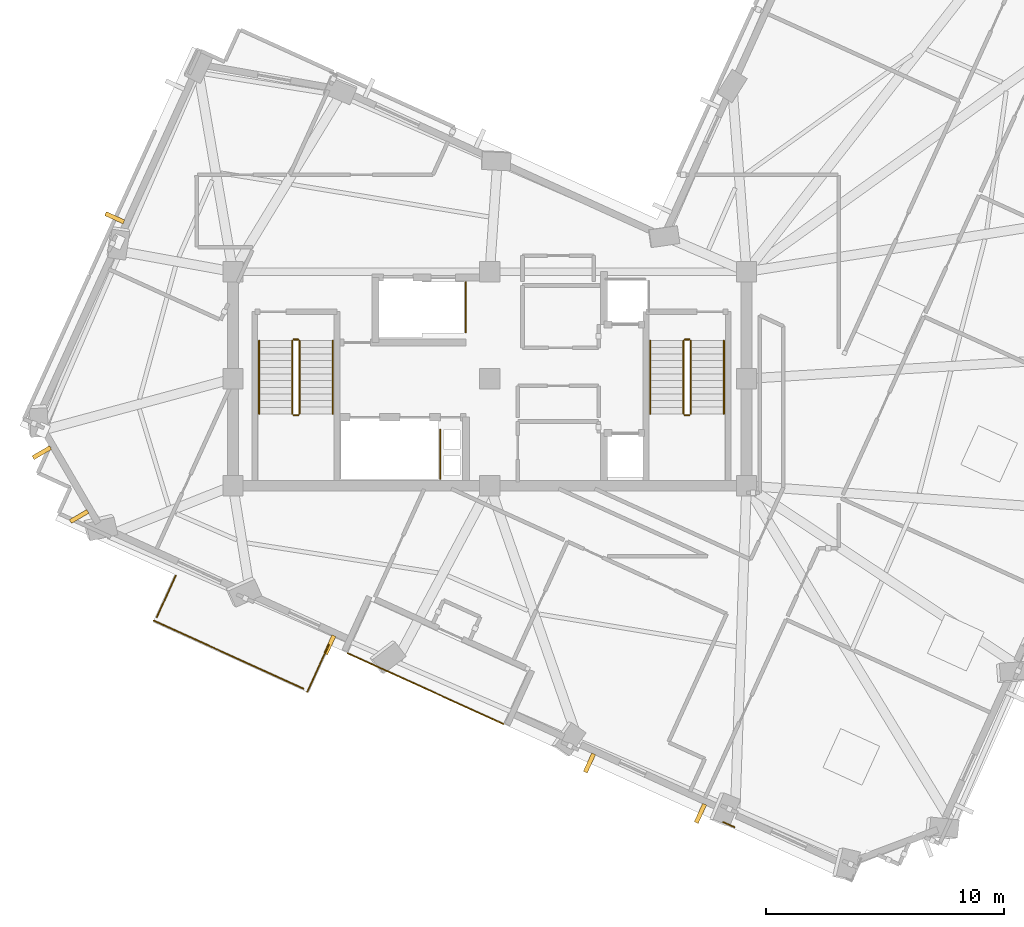
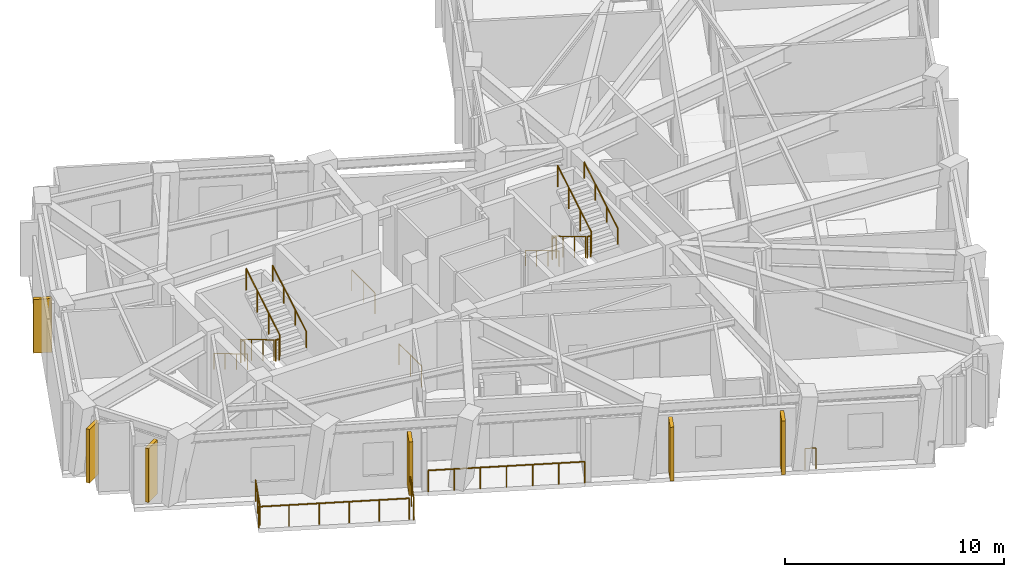
# One storey, part 10 of 13: 19 railings, 6 shading devices.
"""IFC4 building model written with IfcOpenShell, lengths in metres."""

from ifc_helpers import new_model, si_unit, direction, frame, origin, origin_2d, place, context, subcontext, project, spatial, rectangle, circle, extrude, material, layer, layer_set, type_object, element, save


model = new_model("IFC4")

# Units and contexts
model_context = context("Model", 3, precision=1e-05, world=origin(), true_north=direction((0.0, 1.0)))
body_context = subcontext(model_context, "Body", "Model", "MODEL_VIEW")
ifc_project = project(units=[si_unit("LENGTHUNIT", "METRE"), si_unit("AREAUNIT", "SQUARE_METRE"), si_unit("VOLUMEUNIT", "CUBIC_METRE"), si_unit("PLANEANGLEUNIT", "RADIAN"), si_unit("MASSUNIT", "GRAM", prefix="KILO")], contexts=[model_context])

# Site, building, storey
site_placement = place(None, origin())
site = spatial("IfcSite", under=ifc_project, at=site_placement, CompositionType="ELEMENT")
building_placement = place(site_placement, origin())
building = spatial("IfcBuilding", under=site, at=building_placement, Name="Gaonmaruhae Medical Tower", CompositionType="ELEMENT")
storey_placement = place(building_placement, frame((0.0, 0.0, 304.60009765625)))
storey = spatial("IfcBuildingStorey", under=building, at=storey_placement, Name="L73", CompositionType="ELEMENT", Elevation=304.60009765625)

# Railings
ifc_material_1 = material(Name="Stainless steel 316L and laminated safety glass", Category="steel")
ifc_layer = layer(ifc_material_1, 0.080078125)
ifc_layer_set = layer_set([ifc_layer], Name="Stainless steel 316L and laminated safety glass")
railing_type_1 = type_object("IfcRailingType", Name="GD-120 Outdoor Terrace Safety Glass & Steel Balustrade", PredefinedType="BALUSTRADE", material=ifc_layer_set)
railing_1_placement = place(storey_placement, frame((18.82470703125, 0.759521484375, 0.0)))
element("IfcRailing", 1, at=railing_1_placement, inside=storey, type_object=railing_type_1, Name="L73 Terrace Safety Guard RL-SLB-L73-TER-04", PredefinedType="BALUSTRADE", context=body_context, shape_type="SweptSolid", body=[
    extrude(circle(Radius=0.02392578125, at=origin_2d()), frame((0.0, 0.0, 1.17578125), z_axis=(0.910324667032, -0.413894914915, 0.0), x_axis=(0.413894914915, 0.910324667032, 0.0)), (0.0, 0.0, 1.0), 7.199951171875),
    extrude(circle(Radius=0.02099609375, at=origin_2d()), origin(), (0.0, 0.0, 1.0), 1.15185546875),
    extrude(circle(Radius=0.02099609375, at=origin_2d()), frame((1.09228515625, -0.49658203125, 0.0)), (0.0, 0.0, 1.0), 1.15185546875),
    extrude(circle(Radius=0.02099609375, at=origin_2d()), frame((2.184814453125, -0.993408203125, 0.0)), (0.0, 0.0, 1.0), 1.15185546875),
    extrude(circle(Radius=0.02099609375, at=origin_2d()), frame((3.277099609375, -1.489990234375, 0.0)), (0.0, 0.0, 1.0), 1.15185546875),
    extrude(circle(Radius=0.02099609375, at=origin_2d()), frame((4.369384765625, -1.986572265625, 0.0)), (0.0, 0.0, 1.0), 1.15185546875),
    extrude(circle(Radius=0.02099609375, at=origin_2d()), frame((5.4619140625, -2.4833984375, 0.0)), (0.0, 0.0, 1.0), 1.15185546875),
    extrude(circle(Radius=0.02099609375, at=origin_2d()), frame((6.55419921875, -2.97998046875, 0.0)), (0.0, 0.0, 1.0), 1.15185546875),
])
railing_2_placement = place(storey_placement, frame((35.0888671875, -6.558349609375, 0.0)))
element("IfcRailing", 2, at=railing_2_placement, inside=storey, type_object=railing_type_1, Name="L73 Perimeter Slab Edge Safety Balustrade 05", PredefinedType="BALUSTRADE", context=body_context, shape_type="SweptSolid", body=[
    extrude(circle(Radius=0.02392578125, at=origin_2d()), frame((0.0, 0.0, 1.17578125), z_axis=(-0.910318037345, 0.413909496007, 0.0), x_axis=(-0.413909496007, -0.910318037345, 0.0)), (0.0, 0.0, 1.0), 0.517822265625),
    extrude(circle(Radius=0.02099609375, at=origin_2d()), origin(), (0.0, 0.0, 1.0), 1.15185546875),
    extrude(circle(Radius=0.02099609375, at=origin_2d()), frame((-0.471435546875, 0.21435546875, 0.0)), (0.0, 0.0, 1.0), 1.15185546875),
])
railing_3_placement = place(storey_placement, frame((18.0244140625, 1.1015625, 0.0)))
element("IfcRailing", 3, at=railing_3_placement, inside=storey, type_object=railing_type_1, Name="L73 Perimeter Slab Edge Safety Balustrade 06", PredefinedType="BALUSTRADE", context=body_context, shape_type="SweptSolid", body=[
    extrude(circle(Radius=0.02392578125, at=origin_2d()), frame((0.0, 0.0, 1.17578125), z_axis=(-0.41381146042, -0.910362606452, 0.0), x_axis=(0.910362606452, -0.41381146042, 0.0)), (0.0, 0.0, 1.0), 2.159912109375),
    extrude(circle(Radius=0.02099609375, at=origin_2d()), origin(), (0.0, 0.0, 1.0), 1.15185546875),
    extrude(circle(Radius=0.02099609375, at=origin_2d()), frame((-0.44677734375, -0.983154296875, 0.0)), (0.0, 0.0, 1.0), 1.15185546875),
    extrude(circle(Radius=0.02099609375, at=origin_2d()), frame((-0.893798828125, -1.96630859375, 0.0)), (0.0, 0.0, 1.0), 1.15185546875),
])
railing_4_placement = place(storey_placement, frame((16.968017578125, -0.736083984375, 0.0)))
element("IfcRailing", 4, at=railing_4_placement, inside=storey, type_object=railing_type_1, Name="L73 Perimeter Slab Edge Safety Balustrade 07", PredefinedType="BALUSTRADE", context=body_context, shape_type="SweptSolid", body=[
    extrude(circle(Radius=0.02392578125, at=origin_2d()), frame((0.0, 0.0, 1.17578125), z_axis=(-0.910320485131, 0.413904112509, 0.0), x_axis=(-0.413904112509, -0.910320485131, 0.0)), (0.0, 0.0, 1.0), 6.908935546875),
    extrude(circle(Radius=0.02099609375, at=origin_2d()), origin(), (0.0, 0.0, 1.0), 1.15185546875),
    extrude(circle(Radius=0.02099609375, at=origin_2d()), frame((-1.2578125, 0.572021484375, 0.0)), (0.0, 0.0, 1.0), 1.15185546875),
    extrude(circle(Radius=0.02099609375, at=origin_2d()), frame((-2.515625, 1.143798828125, 0.0)), (0.0, 0.0, 1.0), 1.15185546875),
    extrude(circle(Radius=0.02099609375, at=origin_2d()), frame((-3.773681640625, 1.7158203125, 0.0)), (0.0, 0.0, 1.0), 1.15185546875),
    extrude(circle(Radius=0.02099609375, at=origin_2d()), frame((-5.031494140625, 2.28759765625, 0.0)), (0.0, 0.0, 1.0), 1.15185546875),
    extrude(circle(Radius=0.02099609375, at=origin_2d()), frame((-6.289306640625, 2.859619140625, 0.0)), (0.0, 0.0, 1.0), 1.15185546875),
])
railing_5_placement = place(storey_placement, frame((10.80224609375, 2.2744140625, 0.0)))
element("IfcRailing", 5, at=railing_5_placement, inside=storey, type_object=railing_type_1, Name="L73 Perimeter Slab Edge Safety Balustrade 08", PredefinedType="BALUSTRADE", context=body_context, shape_type="SweptSolid", body=[
    extrude(circle(Radius=0.02392578125, at=origin_2d()), frame((0.0, 0.0, 1.17578125), z_axis=(0.413822089667, 0.910357774781, 0.0), x_axis=(-0.910357774781, 0.413822089667, 0.0)), (0.0, 0.0, 1.0), 1.921630859375),
    extrude(circle(Radius=0.02099609375, at=origin_2d()), origin(), (0.0, 0.0, 1.0), 1.15185546875),
    extrude(circle(Radius=0.02099609375, at=origin_2d()), frame((0.3974609375, 0.87451171875, 0.0)), (0.0, 0.0, 1.0), 1.15185546875),
    extrude(circle(Radius=0.02099609375, at=origin_2d()), frame((0.795166015625, 1.749267578125, 0.0)), (0.0, 0.0, 1.0), 1.15185546875),
])
ifc_material_2 = material(Name="Stainless steel 304 handrail", Category="steel")
railing_type_2 = type_object("IfcRailingType", Name="HR-092 Continuous Stainless Steel Stair Handrail", PredefinedType="HANDRAIL", material=ifc_material_2)
railing_6_placement = place(storey_placement, frame((15.10009765625, 13.89990234375, 0.16650390625)))
element("IfcRailing", 6, at=railing_6_placement, inside=storey, type_object=railing_type_2, Name="L73 ST-01 stair handrail 1", PredefinedType="HANDRAIL", context=body_context, shape_type="SweptSolid", body=[
    extrude(circle(Radius=0.02392578125, at=origin_2d()), frame((0.0, 0.0, 0.8759765625), z_axis=(0.0, -0.859260807169, 0.511537745687), x_axis=(1.0, 0.0, 0.0)), (0.0, 0.0, 1.0), 3.584228515625),
    extrude(circle(Radius=0.02099609375, at=origin_2d()), origin(), (0.0, 0.0, 1.0), 0.851806640625),
    extrude(circle(Radius=0.02099609375, at=origin_2d()), frame((0.0, -1.026611328125, 0.611083984375)), (0.0, 0.0, 1.0), 0.851806640625),
    extrude(circle(Radius=0.02099609375, at=origin_2d()), frame((0.0, -2.05322265625, 1.222412109375)), (0.0, 0.0, 1.0), 0.851806640625),
    extrude(circle(Radius=0.02099609375, at=origin_2d()), frame((0.0, -3.079833984375, 1.83349609375)), (0.0, 0.0, 1.0), 0.851806640625),
])
railing_7_placement = place(storey_placement, frame((18.199951171875, 10.820068359375, 2.16650390625)))
element("IfcRailing", 7, at=railing_7_placement, inside=storey, type_object=railing_type_2, Name="L73 ST-01 stair handrail 2", PredefinedType="HANDRAIL", context=body_context, shape_type="SweptSolid", body=[
    extrude(circle(Radius=0.02392578125, at=origin_2d()), frame((0.0, 0.0, 0.8759765625), z_axis=(0.0, 0.859260807169, 0.511537745687), x_axis=(-1.0, 0.0, 0.0)), (0.0, 0.0, 1.0), 3.584228515625),
    extrude(circle(Radius=0.02099609375, at=origin_2d()), origin(), (0.0, 0.0, 1.0), 0.851806640625),
    extrude(circle(Radius=0.02099609375, at=origin_2d()), frame((0.0, 1.026611328125, 0.611083984375)), (0.0, 0.0, 1.0), 0.851806640625),
    extrude(circle(Radius=0.02099609375, at=origin_2d()), frame((0.0, 2.05322265625, 1.222412109375)), (0.0, 0.0, 1.0), 0.851806640625),
    extrude(circle(Radius=0.02099609375, at=origin_2d()), frame((0.0, 3.079833984375, 1.83349609375)), (0.0, 0.0, 1.0), 0.851806640625),
])
railing_8_placement = place(storey_placement, frame((31.550048828125, 13.89990234375, 0.16650390625)))
element("IfcRailing", 8, at=railing_8_placement, inside=storey, type_object=railing_type_2, Name="L73 ST-02 stair handrail 1", PredefinedType="HANDRAIL", context=body_context, shape_type="SweptSolid", body=[
    extrude(circle(Radius=0.02392578125, at=origin_2d()), frame((0.0, 0.0, 0.8759765625), z_axis=(0.0, -0.859260807169, 0.511537745687), x_axis=(1.0, 0.0, 0.0)), (0.0, 0.0, 1.0), 3.584228515625),
    extrude(circle(Radius=0.02099609375, at=origin_2d()), origin(), (0.0, 0.0, 1.0), 0.851806640625),
    extrude(circle(Radius=0.02099609375, at=origin_2d()), frame((0.0, -1.026611328125, 0.611083984375)), (0.0, 0.0, 1.0), 0.851806640625),
    extrude(circle(Radius=0.02099609375, at=origin_2d()), frame((0.0, -2.05322265625, 1.222412109375)), (0.0, 0.0, 1.0), 0.851806640625),
    extrude(circle(Radius=0.02099609375, at=origin_2d()), frame((0.0, -3.079833984375, 1.83349609375)), (0.0, 0.0, 1.0), 0.851806640625),
])
railing_9_placement = place(storey_placement, frame((34.64990234375, 10.820068359375, 2.16650390625)))
element("IfcRailing", 9, at=railing_9_placement, inside=storey, type_object=railing_type_2, Name="L73 ST-02 stair handrail 2", PredefinedType="HANDRAIL", context=body_context, shape_type="SweptSolid", body=[
    extrude(circle(Radius=0.02392578125, at=origin_2d()), frame((0.0, 0.0, 0.8759765625), z_axis=(0.0, 0.859260807169, 0.511537745687), x_axis=(-1.0, 0.0, 0.0)), (0.0, 0.0, 1.0), 3.584228515625),
    extrude(circle(Radius=0.02099609375, at=origin_2d()), origin(), (0.0, 0.0, 1.0), 0.851806640625),
    extrude(circle(Radius=0.02099609375, at=origin_2d()), frame((0.0, 1.026611328125, 0.611083984375)), (0.0, 0.0, 1.0), 0.851806640625),
    extrude(circle(Radius=0.02099609375, at=origin_2d()), frame((0.0, 2.05322265625, 1.222412109375)), (0.0, 0.0, 1.0), 0.851806640625),
    extrude(circle(Radius=0.02099609375, at=origin_2d()), frame((0.0, 3.079833984375, 1.83349609375)), (0.0, 0.0, 1.0), 0.851806640625),
])

# Shading devices
ifc_material_3 = material(Name="Pigmented coral precast concrete C45/55", Category="concrete")
shading_device_type = type_object("IfcShadingDeviceType", Name="SD-FIN1 Tower Vertical Coral Precast Shading Fin", PredefinedType="USERDEFINED", material=ifc_material_3)
for number, where, z_axis, x_axis, name in (
    (10, (9.029541015625, 19.069091796875, 0.13232421875), (0.0, 0.0, 1.0), (0.413898993841, 0.910322812467, 0.0), "L73 Vertical Coral Precast Shading Fin N01"),
    (11, (7.533203125, 6.5078125, 0.13232421875), (0.0, 0.0, 1.0), (-0.505024820243, 0.863104820366, 0.0), "L73 Vertical Coral Precast Shading Fin N03"),
    (12, (5.963623046875, 9.1904296875, 0.13232421875), (0.0, 0.0, 1.0), (-0.505024820243, 0.863104820366, 0.0), "L73 Vertical Coral Precast Shading Fin N03B"),
    (13, (18.0712890625, 1.107666015625, 0.122314453125), (0.0, 0.0, 1.0), (-0.910330036228, 0.413883105648, 0.0), "L73 Vertical Coral Precast Shading Fin W02"),
    (14, (33.661376953125, -5.980712890625, 0.122314453125), (0.0, 0.0, 1.0), (-0.910322812467, 0.413898993841, 0.0), "L73 Vertical Coral Precast Shading Fin W04"),
    (15, (28.995849609375, -3.859619140625, 0.122314453125), (0.0, 0.0, 1.0), (-0.910322812467, 0.413898993841, 0.0), "L73 Vertical Coral Precast Shading Fin W04B"),
):
    element("IfcShadingDevice", number, at=place(storey_placement, frame(where, z_axis=z_axis, x_axis=x_axis)), inside=storey, type_object=shading_device_type, Name=name, ObjectType="FIN", PredefinedType="USERDEFINED", context=body_context, shape_type="SweptSolid", body=[
        extrude(rectangle(XDim=0.179931640625, YDim=0.85009765625, at=origin_2d()), origin(), (0.0, 0.0, 1.0), 3.0),
    ])

# Railings
ifc_material_4 = material(Name="Stainless steel 304 balustrade", Category="steel")
railing_type_3 = type_object("IfcRailingType", Name="SG-112 Stair Well & Ramp Void Safety Balustrade", PredefinedType="BALUSTRADE", material=ifc_material_4)
railing_10_placement = place(storey_placement, frame((16.5, 13.89990234375, 0.16650390625)))
element("IfcRailing", 16, at=railing_10_placement, inside=storey, type_object=railing_type_3, Name="L73 ST-01 stair guard 1", PredefinedType="BALUSTRADE", context=body_context, shape_type="SweptSolid", body=[
    extrude(circle(Radius=0.02392578125, at=origin_2d()), frame((0.0, 0.0, 1.17578125), z_axis=(0.0, -0.859260807169, 0.511537745687), x_axis=(1.0, 0.0, 0.0)), (0.0, 0.0, 1.0), 3.584228515625),
    extrude(circle(Radius=0.02099609375, at=origin_2d()), origin(), (0.0, 0.0, 1.0), 1.15185546875),
    extrude(circle(Radius=0.02099609375, at=origin_2d()), frame((0.0, -1.026611328125, 0.611083984375)), (0.0, 0.0, 1.0), 1.15185546875),
    extrude(circle(Radius=0.02099609375, at=origin_2d()), frame((0.0, -2.05322265625, 1.222412109375)), (0.0, 0.0, 1.0), 1.15185546875),
    extrude(circle(Radius=0.02099609375, at=origin_2d()), frame((0.0, -3.079833984375, 1.83349609375)), (0.0, 0.0, 1.0), 1.15185546875),
])
railing_11_placement = place(storey_placement, frame((16.550048828125, 10.77001953125, 2.0)))
element("IfcRailing", 17, at=railing_11_placement, inside=storey, type_object=railing_type_3, Name="L73 ST-01 stair guard 2", PredefinedType="BALUSTRADE", context=body_context, shape_type="SweptSolid", body=[
    extrude(circle(Radius=0.02392578125, at=origin_2d()), frame((0.0, 0.0, 1.17578125), z_axis=(1.0, 0.0, 0.0), x_axis=(0.0, 1.0, 0.0)), (0.0, 0.0, 1.0), 0.199951171875),
    extrude(circle(Radius=0.02099609375, at=origin_2d()), origin(), (0.0, 0.0, 1.0), 1.15185546875),
    extrude(circle(Radius=0.02099609375, at=origin_2d()), frame((0.199951171875, 0.0, 0.0)), (0.0, 0.0, 1.0), 1.15185546875),
])
railing_12_placement = place(storey_placement, frame((16.800048828125, 10.820068359375, 2.16650390625)))
element("IfcRailing", 18, at=railing_12_placement, inside=storey, type_object=railing_type_3, Name="L73 ST-01 stair guard 3", PredefinedType="BALUSTRADE", context=body_context, shape_type="SweptSolid", body=[
    extrude(circle(Radius=0.02392578125, at=origin_2d()), frame((0.0, 0.0, 1.17578125), z_axis=(0.0, 0.859260807169, 0.511537745687), x_axis=(-1.0, 0.0, 0.0)), (0.0, 0.0, 1.0), 3.584228515625),
    extrude(circle(Radius=0.02099609375, at=origin_2d()), origin(), (0.0, 0.0, 1.0), 1.15185546875),
    extrude(circle(Radius=0.02099609375, at=origin_2d()), frame((0.0, 1.026611328125, 0.611083984375)), (0.0, 0.0, 1.0), 1.15185546875),
    extrude(circle(Radius=0.02099609375, at=origin_2d()), frame((0.0, 2.05322265625, 1.222412109375)), (0.0, 0.0, 1.0), 1.15185546875),
    extrude(circle(Radius=0.02099609375, at=origin_2d()), frame((0.0, 3.079833984375, 1.83349609375)), (0.0, 0.0, 1.0), 1.15185546875),
])
railing_13_placement = place(storey_placement, frame((16.550048828125, 13.949951171875, 0.0)))
element("IfcRailing", 19, at=railing_13_placement, inside=storey, type_object=railing_type_3, Name="L73 ST-01 stair guard 4", PredefinedType="BALUSTRADE", context=body_context, shape_type="SweptSolid", body=[
    extrude(circle(Radius=0.02392578125, at=origin_2d()), frame((0.0, 0.0, 1.17578125), z_axis=(1.0, 0.0, 0.0), x_axis=(0.0, 1.0, 0.0)), (0.0, 0.0, 1.0), 0.199951171875),
    extrude(circle(Radius=0.02099609375, at=origin_2d()), origin(), (0.0, 0.0, 1.0), 1.15185546875),
    extrude(circle(Radius=0.02099609375, at=origin_2d()), frame((0.199951171875, 0.0, 0.0)), (0.0, 0.0, 1.0), 1.15185546875),
])
railing_14_placement = place(storey_placement, frame((32.949951171875, 13.89990234375, 0.16650390625)))
element("IfcRailing", 20, at=railing_14_placement, inside=storey, type_object=railing_type_3, Name="L73 ST-02 stair guard 1", PredefinedType="BALUSTRADE", context=body_context, shape_type="SweptSolid", body=[
    extrude(circle(Radius=0.02392578125, at=origin_2d()), frame((0.0, 0.0, 1.17578125), z_axis=(0.0, -0.859260807169, 0.511537745687), x_axis=(1.0, 0.0, 0.0)), (0.0, 0.0, 1.0), 3.584228515625),
    extrude(circle(Radius=0.02099609375, at=origin_2d()), origin(), (0.0, 0.0, 1.0), 1.15185546875),
    extrude(circle(Radius=0.02099609375, at=origin_2d()), frame((0.0, -1.026611328125, 0.611083984375)), (0.0, 0.0, 1.0), 1.15185546875),
    extrude(circle(Radius=0.02099609375, at=origin_2d()), frame((0.0, -2.05322265625, 1.222412109375)), (0.0, 0.0, 1.0), 1.15185546875),
    extrude(circle(Radius=0.02099609375, at=origin_2d()), frame((0.0, -3.079833984375, 1.83349609375)), (0.0, 0.0, 1.0), 1.15185546875),
])
railing_15_placement = place(storey_placement, frame((33.0, 10.77001953125, 2.0)))
element("IfcRailing", 21, at=railing_15_placement, inside=storey, type_object=railing_type_3, Name="L73 ST-02 stair guard 2", PredefinedType="BALUSTRADE", context=body_context, shape_type="SweptSolid", body=[
    extrude(circle(Radius=0.02392578125, at=origin_2d()), frame((0.0, 0.0, 1.17578125), z_axis=(1.0, 0.0, 0.0), x_axis=(0.0, 1.0, 0.0)), (0.0, 0.0, 1.0), 0.199951171875),
    extrude(circle(Radius=0.02099609375, at=origin_2d()), origin(), (0.0, 0.0, 1.0), 1.15185546875),
    extrude(circle(Radius=0.02099609375, at=origin_2d()), frame((0.199951171875, 0.0, 0.0)), (0.0, 0.0, 1.0), 1.15185546875),
])
railing_16_placement = place(storey_placement, frame((33.25, 10.820068359375, 2.16650390625)))
element("IfcRailing", 22, at=railing_16_placement, inside=storey, type_object=railing_type_3, Name="L73 ST-02 stair guard 3", PredefinedType="BALUSTRADE", context=body_context, shape_type="SweptSolid", body=[
    extrude(circle(Radius=0.02392578125, at=origin_2d()), frame((0.0, 0.0, 1.17578125), z_axis=(0.0, 0.859260807169, 0.511537745687), x_axis=(-1.0, 0.0, 0.0)), (0.0, 0.0, 1.0), 3.584228515625),
    extrude(circle(Radius=0.02099609375, at=origin_2d()), origin(), (0.0, 0.0, 1.0), 1.15185546875),
    extrude(circle(Radius=0.02099609375, at=origin_2d()), frame((0.0, 1.026611328125, 0.611083984375)), (0.0, 0.0, 1.0), 1.15185546875),
    extrude(circle(Radius=0.02099609375, at=origin_2d()), frame((0.0, 2.05322265625, 1.222412109375)), (0.0, 0.0, 1.0), 1.15185546875),
    extrude(circle(Radius=0.02099609375, at=origin_2d()), frame((0.0, 3.079833984375, 1.83349609375)), (0.0, 0.0, 1.0), 1.15185546875),
])
railing_17_placement = place(storey_placement, frame((33.0, 13.949951171875, 0.0)))
element("IfcRailing", 23, at=railing_17_placement, inside=storey, type_object=railing_type_3, Name="L73 ST-02 stair guard 4", PredefinedType="BALUSTRADE", context=body_context, shape_type="SweptSolid", body=[
    extrude(circle(Radius=0.02392578125, at=origin_2d()), frame((0.0, 0.0, 1.17578125), z_axis=(1.0, 0.0, 0.0), x_axis=(0.0, 1.0, 0.0)), (0.0, 0.0, 1.0), 0.199951171875),
    extrude(circle(Radius=0.02099609375, at=origin_2d()), origin(), (0.0, 0.0, 1.0), 1.15185546875),
    extrude(circle(Radius=0.02099609375, at=origin_2d()), frame((0.199951171875, 0.0, 0.0)), (0.0, 0.0, 1.0), 1.15185546875),
])
railing_18_placement = place(storey_placement, frame((22.719970703125, 10.159912109375, 0.0)))
element("IfcRailing", 24, at=railing_18_placement, inside=storey, type_object=railing_type_3, Name="L73 Shaft Edge Safety Guard 10", PredefinedType="BALUSTRADE", context=body_context, shape_type="SweptSolid", body=[
    extrude(circle(Radius=0.02392578125, at=origin_2d()), frame((0.0, 0.0, 1.17578125), z_axis=(0.0, -1.0, 0.0), x_axis=(1.0, 0.0, 0.0)), (0.0, 0.0, 1.0), 2.06494140625),
    extrude(circle(Radius=0.02099609375, at=origin_2d()), origin(), (0.0, 0.0, 1.0), 1.15185546875),
    extrude(circle(Radius=0.02099609375, at=origin_2d()), frame((0.0, -1.032470703125, 0.0)), (0.0, 0.0, 1.0), 1.15185546875),
    extrude(circle(Radius=0.02099609375, at=origin_2d()), frame((0.0, -2.06494140625, 0.0)), (0.0, 0.0, 1.0), 1.15185546875),
])
railing_19_placement = place(storey_placement, frame((23.794921875, 16.35498046875, 0.0)))
element("IfcRailing", 25, at=railing_19_placement, inside=storey, type_object=railing_type_3, Name="L73 Shaft Edge Safety Guard 11", PredefinedType="BALUSTRADE", context=body_context, shape_type="SweptSolid", body=[
    extrude(circle(Radius=0.02392578125, at=origin_2d()), frame((0.0, 0.0, 1.17578125), z_axis=(0.0, -1.0, 0.0), x_axis=(1.0, 0.0, 0.0)), (0.0, 0.0, 1.0), 2.10986328125),
    extrude(circle(Radius=0.02099609375, at=origin_2d()), origin(), (0.0, 0.0, 1.0), 1.15185546875),
    extrude(circle(Radius=0.02099609375, at=origin_2d()), frame((0.0, -1.054931640625, 0.0)), (0.0, 0.0, 1.0), 1.15185546875),
    extrude(circle(Radius=0.02099609375, at=origin_2d()), frame((0.0, -2.10986328125, 0.0)), (0.0, 0.0, 1.0), 1.15185546875),
])

save(model, "model.ifc")
